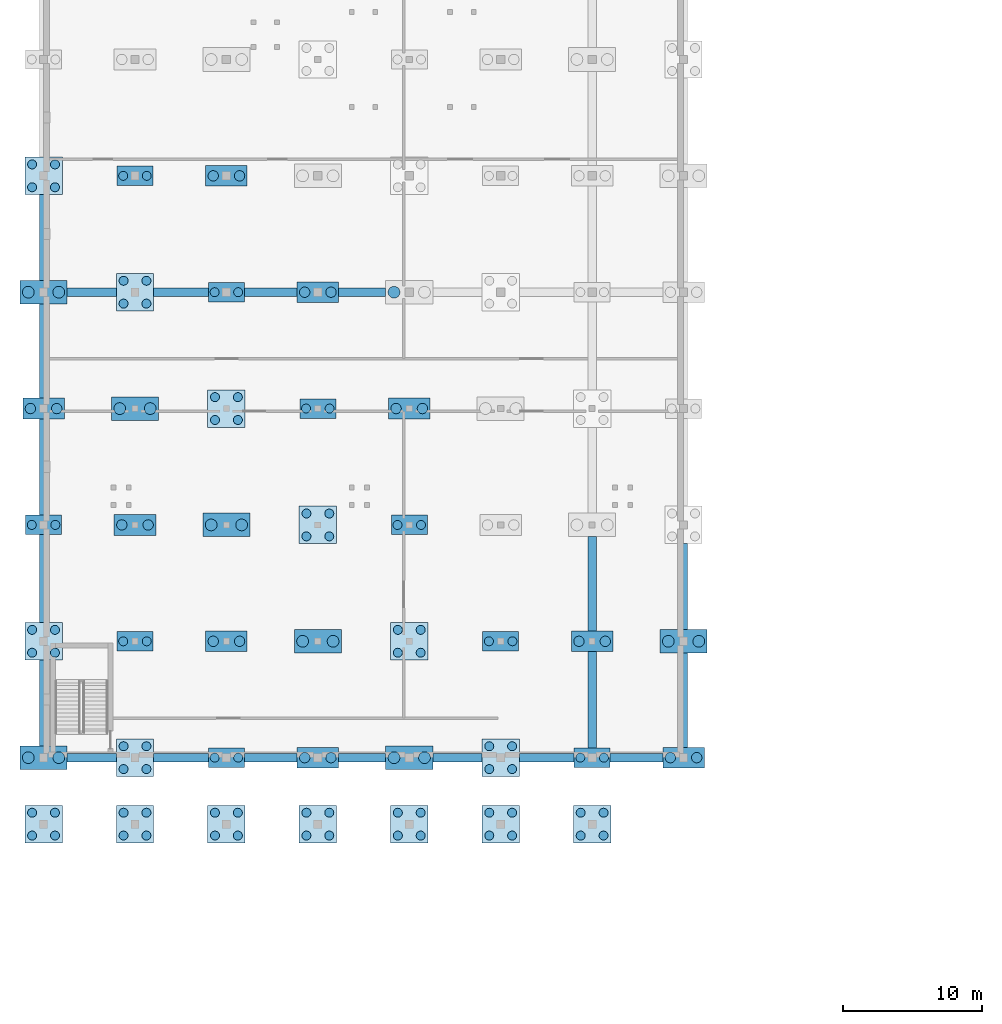
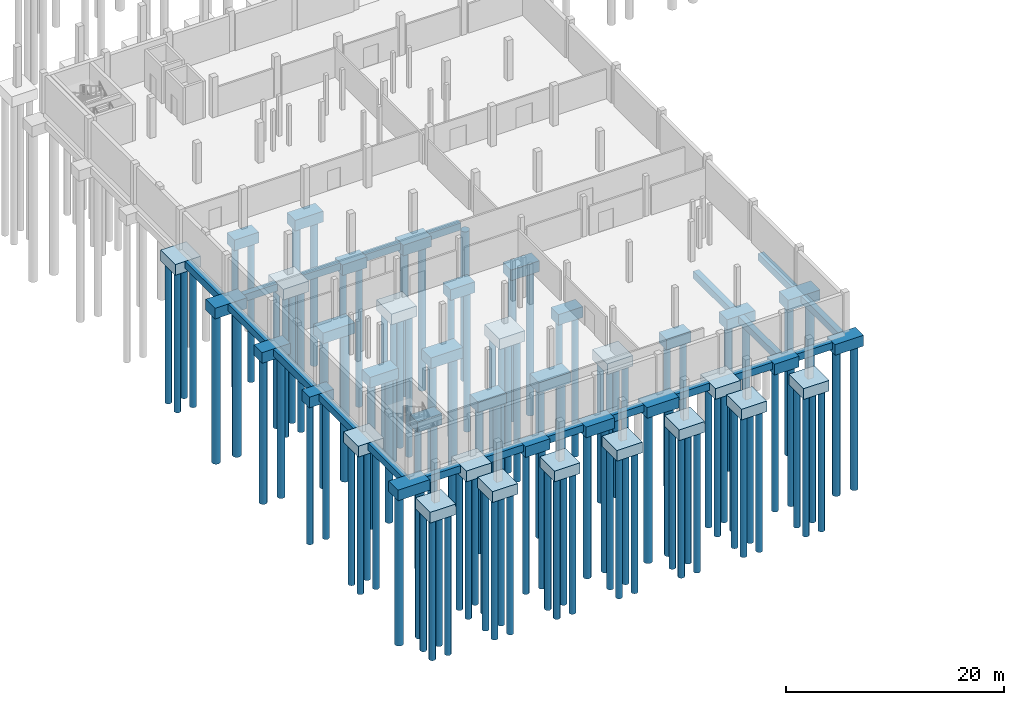
# One storey, part 1 of 25: 111 piles, 60 footings.
"""IFC4 building model written with IfcOpenShell, lengths in metres."""

from ifc_helpers import new_model, si_unit, direction, frame, origin, origin_2d, place, context, subcontext, project, spatial, rectangle, circle, extrude, material, layer, layer_set, material_profile, profile_set, type_object, element, save


model = new_model("IFC4")

# Units and contexts
model_context = context("Model", 3, precision=1e-05, world=origin(), true_north=direction((0.0, 1.0)))
body_context = subcontext(model_context, "Body", "Model", "MODEL_VIEW")
ifc_project = project(units=[si_unit("LENGTHUNIT", "METRE"), si_unit("AREAUNIT", "SQUARE_METRE"), si_unit("VOLUMEUNIT", "CUBIC_METRE"), si_unit("PLANEANGLEUNIT", "RADIAN"), si_unit("MASSUNIT", "GRAM", prefix="KILO")], contexts=[model_context])

# Site, building, storey
site_placement = place(None, origin())
site = spatial("IfcSite", under=ifc_project, at=site_placement, CompositionType="ELEMENT")
building_placement = place(site_placement, origin())
building = spatial("IfcBuilding", under=site, at=building_placement, Name="Qaldarim Faculty of Natural and Applied Sciences", CompositionType="ELEMENT")
storey_placement = place(building_placement, frame((0.0, 0.0, -4.5)))
storey = spatial("IfcBuildingStorey", under=building, at=storey_placement, Name="B01", CompositionType="ELEMENT", Elevation=-4.5)

# Piles
ifc_material = material(Name="Concrete C40/50", Category="concrete")
ifc_material_profile_1 = material_profile(ifc_material, circle(Radius=0.324951171875, at=origin_2d()), Name="PILE-D650")
ifc_profile_set_1 = profile_set([ifc_material_profile_1], Name="Concrete C40/50")
pile_type_1 = type_object("IfcPileType", Name="BoredPile-D650-L15800", PredefinedType="BORED", material=ifc_profile_set_1)
for number, where, z_axis, x_axis, name in (
    (1, (-0.824951171875, 24.375, -1.699951171875), (0.0, 0.0, -1.0), (1.0, 0.0, 0.0), "Bored pile PL01 1 under FTG-PC04-X01Y04"),
    (2, (-0.824951171875, 26.02490234375, -1.699951171875), (0.0, 0.0, -1.0), (1.0, 0.0, 0.0), "Bored pile PL01 2 under FTG-PC04-X01Y04"),
    (3, (0.824951171875, 24.375, -1.699951171875), (0.0, 0.0, -1.0), (1.0, 0.0, 0.0), "Bored pile PL01 3 under FTG-PC04-X01Y04"),
    (4, (0.824951171875, 26.02490234375, -1.699951171875), (0.0, 0.0, -1.0), (1.0, 0.0, 0.0), "Bored pile PL01 4 under FTG-PC04-X01Y04"),
    (5, (-0.85009765625, 33.60009765625, -1.699951171875), (0.0, 0.0, -1.0), (1.0, 0.0, 0.0), "Bored pile PL01 1 under FTG-PC01-X01Y05"),
    (6, (0.85009765625, 33.60009765625, -1.699951171875), (0.0, 0.0, -1.0), (1.0, 0.0, 0.0), "Bored pile PL01 2 under FTG-PC01-X01Y05"),
    (7, (-0.824951171875, 57.97509765625, -1.699951171875), (0.0, 0.0, -1.0), (1.0, 0.0, 0.0), "Bored pile PL01 1 under FTG-PC04-X01Y08"),
    (8, (-0.824951171875, 59.625, -1.699951171875), (0.0, 0.0, -1.0), (1.0, 0.0, 0.0), "Bored pile PL01 2 under FTG-PC04-X01Y08"),
    (9, (0.824951171875, 57.97509765625, -1.699951171875), (0.0, 0.0, -1.0), (1.0, 0.0, 0.0), "Bored pile PL01 3 under FTG-PC04-X01Y08"),
    (10, (0.824951171875, 59.625, -1.699951171875), (0.0, 0.0, -1.0), (1.0, 0.0, 0.0), "Bored pile PL01 4 under FTG-PC04-X01Y08"),
    (11, (5.77490234375, 15.97509765625, -1.699951171875), (0.0, 0.0, -1.0), (1.0, 0.0, 0.0), "Bored pile PL01 1 under FTG-PC04-X02Y03"),
    (12, (5.77490234375, 17.625, -1.699951171875), (0.0, 0.0, -1.0), (1.0, 0.0, 0.0), "Bored pile PL01 2 under FTG-PC04-X02Y03"),
    (13, (7.425048828125, 15.97509765625, -1.699951171875), (0.0, 0.0, -1.0), (1.0, 0.0, 0.0), "Bored pile PL01 3 under FTG-PC04-X02Y03"),
    (14, (7.425048828125, 17.625, -1.699951171875), (0.0, 0.0, -1.0), (1.0, 0.0, 0.0), "Bored pile PL01 4 under FTG-PC04-X02Y03"),
    (15, (5.75, 25.199951171875, -1.699951171875), (0.0, 0.0, -1.0), (1.0, 0.0, 0.0), "Bored pile PL01 1 under FTG-PC01-X02Y04"),
    (16, (7.449951171875, 25.199951171875, -1.699951171875), (0.0, 0.0, -1.0), (1.0, 0.0, 0.0), "Bored pile PL01 2 under FTG-PC01-X02Y04"),
    (17, (5.77490234375, 49.574951171875, -1.699951171875), (0.0, 0.0, -1.0), (1.0, 0.0, 0.0), "Bored pile PL01 1 under FTG-PC04-X02Y07"),
    (18, (5.77490234375, 51.22509765625, -1.699951171875), (0.0, 0.0, -1.0), (1.0, 0.0, 0.0), "Bored pile PL01 2 under FTG-PC04-X02Y07"),
    (19, (7.425048828125, 49.574951171875, -1.699951171875), (0.0, 0.0, -1.0), (1.0, 0.0, 0.0), "Bored pile PL01 3 under FTG-PC04-X02Y07"),
    (20, (7.425048828125, 51.22509765625, -1.699951171875), (0.0, 0.0, -1.0), (1.0, 0.0, 0.0), "Bored pile PL01 4 under FTG-PC04-X02Y07"),
    (21, (5.75, 58.800048828125, -1.699951171875), (0.0, 0.0, -1.0), (1.0, 0.0, 0.0), "Bored pile PL01 1 under FTG-PC01-X02Y08"),
    (22, (7.449951171875, 58.800048828125, -1.699951171875), (0.0, 0.0, -1.0), (1.0, 0.0, 0.0), "Bored pile PL01 2 under FTG-PC01-X02Y08"),
    (23, (12.35009765625, 16.800048828125, -1.699951171875), (0.0, 0.0, -1.0), (1.0, 0.0, 0.0), "Bored pile PL01 1 under FTG-PC01-X03Y03"),
    (24, (14.050048828125, 16.800048828125, -1.699951171875), (0.0, 0.0, -1.0), (1.0, 0.0, 0.0), "Bored pile PL01 2 under FTG-PC01-X03Y03"),
    (25, (12.375, 41.175048828125, -1.699951171875), (0.0, 0.0, -1.0), (1.0, 0.0, 0.0), "Bored pile PL01 1 under FTG-PC04-X03Y06"),
    (26, (12.375, 42.824951171875, -1.699951171875), (0.0, 0.0, -1.0), (1.0, 0.0, 0.0), "Bored pile PL01 2 under FTG-PC04-X03Y06"),
    (27, (14.02490234375, 41.175048828125, -1.699951171875), (0.0, 0.0, -1.0), (1.0, 0.0, 0.0), "Bored pile PL01 3 under FTG-PC04-X03Y06"),
    (28, (14.02490234375, 42.824951171875, -1.699951171875), (0.0, 0.0, -1.0), (1.0, 0.0, 0.0), "Bored pile PL01 4 under FTG-PC04-X03Y06"),
    (29, (12.35009765625, 50.39990234375, -1.699951171875), (0.0, 0.0, -1.0), (1.0, 0.0, 0.0), "Bored pile PL01 1 under FTG-PC01-X03Y07"),
    (30, (14.050048828125, 50.39990234375, -1.699951171875), (0.0, 0.0, -1.0), (1.0, 0.0, 0.0), "Bored pile PL01 2 under FTG-PC01-X03Y07"),
    (31, (18.97509765625, 32.77490234375, -1.699951171875), (0.0, 0.0, -1.0), (1.0, 0.0, 0.0), "Bored pile PL01 1 under FTG-PC04-X04Y05"),
    (32, (18.97509765625, 34.425048828125, -1.699951171875), (0.0, 0.0, -1.0), (1.0, 0.0, 0.0), "Bored pile PL01 2 under FTG-PC04-X04Y05"),
    (33, (20.625, 32.77490234375, -1.699951171875), (0.0, 0.0, -1.0), (1.0, 0.0, 0.0), "Bored pile PL01 3 under FTG-PC04-X04Y05"),
    (34, (20.625, 34.425048828125, -1.699951171875), (0.0, 0.0, -1.0), (1.0, 0.0, 0.0), "Bored pile PL01 4 under FTG-PC04-X04Y05"),
    (35, (18.949951171875, 42.0, -1.699951171875), (0.0, 0.0, -1.0), (1.0, 0.0, 0.0), "Bored pile PL01 1 under FTG-PC01-X04Y06"),
    (36, (20.64990234375, 42.0, -1.699951171875), (0.0, 0.0, -1.0), (1.0, 0.0, 0.0), "Bored pile PL01 2 under FTG-PC01-X04Y06"),
    (37, (25.574951171875, 24.375, -1.699951171875), (0.0, 0.0, -1.0), (1.0, 0.0, 0.0), "Bored pile PL01 1 under FTG-PC04-X05Y04"),
    (38, (25.574951171875, 26.02490234375, -1.699951171875), (0.0, 0.0, -1.0), (1.0, 0.0, 0.0), "Bored pile PL01 2 under FTG-PC04-X05Y04"),
    (39, (27.22509765625, 24.375, -1.699951171875), (0.0, 0.0, -1.0), (1.0, 0.0, 0.0), "Bored pile PL01 3 under FTG-PC04-X05Y04"),
    (40, (27.22509765625, 26.02490234375, -1.699951171875), (0.0, 0.0, -1.0), (1.0, 0.0, 0.0), "Bored pile PL01 4 under FTG-PC04-X05Y04"),
    (41, (25.550048828125, 33.60009765625, -1.699951171875), (0.0, 0.0, -1.0), (1.0, 0.0, 0.0), "Bored pile PL01 1 under FTG-PC01-X05Y05"),
    (42, (27.25, 33.60009765625, -1.699951171875), (0.0, 0.0, -1.0), (1.0, 0.0, 0.0), "Bored pile PL01 2 under FTG-PC01-X05Y05"),
    (43, (32.175048828125, 15.97509765625, -1.699951171875), (0.0, 0.0, -1.0), (1.0, 0.0, 0.0), "Bored pile PL01 1 under FTG-PC04-X06Y03"),
    (44, (32.175048828125, 17.625, -1.699951171875), (0.0, 0.0, -1.0), (1.0, 0.0, 0.0), "Bored pile PL01 2 under FTG-PC04-X06Y03"),
    (45, (33.824951171875, 15.97509765625, -1.699951171875), (0.0, 0.0, -1.0), (1.0, 0.0, 0.0), "Bored pile PL01 3 under FTG-PC04-X06Y03"),
    (46, (33.824951171875, 17.625, -1.699951171875), (0.0, 0.0, -1.0), (1.0, 0.0, 0.0), "Bored pile PL01 4 under FTG-PC04-X06Y03"),
    (47, (32.14990234375, 25.199951171875, -1.699951171875), (0.0, 0.0, -1.0), (1.0, 0.0, 0.0), "Bored pile PL01 1 under FTG-PC01-X06Y04"),
    (48, (33.85009765625, 25.199951171875, -1.699951171875), (0.0, 0.0, -1.0), (1.0, 0.0, 0.0), "Bored pile PL01 2 under FTG-PC01-X06Y04"),
    (49, (38.75, 16.800048828125, -1.699951171875), (0.0, 0.0, -1.0), (1.0, 0.0, 0.0), "Bored pile PL01 1 under FTG-PC01-X07Y03"),
    (50, (40.449951171875, 16.800048828125, -1.699951171875), (0.0, 0.0, -1.0), (1.0, 0.0, 0.0), "Bored pile PL01 2 under FTG-PC01-X07Y03"),
    (51, (-0.824951171875, 11.175048828125, -1.10009765625), (0.0, 0.0, -1.0), (1.0, 0.0, 0.0), "Bored pile PL01 1 under FTG-BUT-S-01"),
    (52, (-0.824951171875, 12.824951171875, -1.10009765625), (0.0, 0.0, -1.0), (1.0, 0.0, 0.0), "Bored pile PL01 2 under FTG-BUT-S-01"),
    (53, (0.824951171875, 11.175048828125, -1.10009765625), (0.0, 0.0, -1.0), (1.0, 0.0, 0.0), "Bored pile PL01 3 under FTG-BUT-S-01"),
    (54, (0.824951171875, 12.824951171875, -1.10009765625), (0.0, 0.0, -1.0), (1.0, 0.0, 0.0), "Bored pile PL01 4 under FTG-BUT-S-01"),
    (55, (5.77490234375, 11.175048828125, -1.10009765625), (0.0, 0.0, -1.0), (1.0, 0.0, 0.0), "Bored pile PL01 1 under FTG-BUT-S-02"),
    (56, (5.77490234375, 12.824951171875, -1.10009765625), (0.0, 0.0, -1.0), (1.0, 0.0, 0.0), "Bored pile PL01 2 under FTG-BUT-S-02"),
    (57, (7.425048828125, 11.175048828125, -1.10009765625), (0.0, 0.0, -1.0), (1.0, 0.0, 0.0), "Bored pile PL01 3 under FTG-BUT-S-02"),
    (58, (7.425048828125, 12.824951171875, -1.10009765625), (0.0, 0.0, -1.0), (1.0, 0.0, 0.0), "Bored pile PL01 4 under FTG-BUT-S-02"),
    (59, (12.375, 11.175048828125, -1.10009765625), (0.0, 0.0, -1.0), (1.0, 0.0, 0.0), "Bored pile PL01 1 under FTG-BUT-S-03"),
    (60, (12.375, 12.824951171875, -1.10009765625), (0.0, 0.0, -1.0), (1.0, 0.0, 0.0), "Bored pile PL01 2 under FTG-BUT-S-03"),
    (61, (14.02490234375, 11.175048828125, -1.10009765625), (0.0, 0.0, -1.0), (1.0, 0.0, 0.0), "Bored pile PL01 3 under FTG-BUT-S-03"),
    (62, (14.02490234375, 12.824951171875, -1.10009765625), (0.0, 0.0, -1.0), (1.0, 0.0, 0.0), "Bored pile PL01 4 under FTG-BUT-S-03"),
    (63, (18.97509765625, 11.175048828125, -1.10009765625), (0.0, 0.0, -1.0), (1.0, 0.0, 0.0), "Bored pile PL01 1 under FTG-BUT-S-04"),
    (64, (18.97509765625, 12.824951171875, -1.10009765625), (0.0, 0.0, -1.0), (1.0, 0.0, 0.0), "Bored pile PL01 2 under FTG-BUT-S-04"),
    (65, (20.625, 11.175048828125, -1.10009765625), (0.0, 0.0, -1.0), (1.0, 0.0, 0.0), "Bored pile PL01 3 under FTG-BUT-S-04"),
    (66, (20.625, 12.824951171875, -1.10009765625), (0.0, 0.0, -1.0), (1.0, 0.0, 0.0), "Bored pile PL01 4 under FTG-BUT-S-04"),
    (67, (25.574951171875, 11.175048828125, -1.10009765625), (0.0, 0.0, -1.0), (1.0, 0.0, 0.0), "Bored pile PL01 1 under FTG-BUT-S-05"),
    (68, (25.574951171875, 12.824951171875, -1.10009765625), (0.0, 0.0, -1.0), (1.0, 0.0, 0.0), "Bored pile PL01 2 under FTG-BUT-S-05"),
    (69, (27.22509765625, 11.175048828125, -1.10009765625), (0.0, 0.0, -1.0), (1.0, 0.0, 0.0), "Bored pile PL01 3 under FTG-BUT-S-05"),
    (70, (27.22509765625, 12.824951171875, -1.10009765625), (0.0, 0.0, -1.0), (1.0, 0.0, 0.0), "Bored pile PL01 4 under FTG-BUT-S-05"),
    (71, (32.175048828125, 11.175048828125, -1.10009765625), (0.0, 0.0, -1.0), (1.0, 0.0, 0.0), "Bored pile PL01 1 under FTG-BUT-S-06"),
    (72, (32.175048828125, 12.824951171875, -1.10009765625), (0.0, 0.0, -1.0), (1.0, 0.0, 0.0), "Bored pile PL01 2 under FTG-BUT-S-06"),
    (73, (33.824951171875, 11.175048828125, -1.10009765625), (0.0, 0.0, -1.0), (1.0, 0.0, 0.0), "Bored pile PL01 3 under FTG-BUT-S-06"),
    (74, (33.824951171875, 12.824951171875, -1.10009765625), (0.0, 0.0, -1.0), (1.0, 0.0, 0.0), "Bored pile PL01 4 under FTG-BUT-S-06"),
    (75, (38.77490234375, 11.175048828125, -1.10009765625), (0.0, 0.0, -1.0), (1.0, 0.0, 0.0), "Bored pile PL01 1 under FTG-BUT-S-07"),
    (76, (38.77490234375, 12.824951171875, -1.10009765625), (0.0, 0.0, -1.0), (1.0, 0.0, 0.0), "Bored pile PL01 2 under FTG-BUT-S-07"),
    (77, (40.425048828125, 11.175048828125, -1.10009765625), (0.0, 0.0, -1.0), (1.0, 0.0, 0.0), "Bored pile PL01 3 under FTG-BUT-S-07"),
    (78, (40.425048828125, 12.824951171875, -1.10009765625), (0.0, 0.0, -1.0), (1.0, 0.0, 0.0), "Bored pile PL01 4 under FTG-BUT-S-07"),
):
    element("IfcPile", number, at=place(storey_placement, frame(where, z_axis=z_axis, x_axis=x_axis)), inside=storey, type_object=pile_type_1, Name=name, PredefinedType="BORED", context=body_context, shape_type="SweptSolid", body=[
        extrude(circle(Radius=0.324951171875, at=origin_2d()), origin(), (0.0, 0.0, 1.0), 15.800048828125),
    ])
ifc_material_profile_2 = material_profile(ifc_material, circle(Radius=0.375, at=origin_2d()), Name="PILE-D750")
ifc_profile_set_2 = profile_set([ifc_material_profile_2], Name="Concrete C40/50")
pile_type_2 = type_object("IfcPileType", Name="BoredPile-D750-L16300", PredefinedType="BORED", material=ifc_profile_set_2)
for number, where, z_axis, x_axis, name in (
    (79, (-0.949951171875, 42.0, -1.699951171875), (0.0, 0.0, -1.0), (1.0, 0.0, 0.0), "Bored pile PL02 1 under FTG-PC02-X01Y06"),
    (80, (0.949951171875, 42.0, -1.699951171875), (0.0, 0.0, -1.0), (1.0, 0.0, 0.0), "Bored pile PL02 2 under FTG-PC02-X01Y06"),
    (81, (5.64990234375, 33.60009765625, -1.699951171875), (0.0, 0.0, -1.0), (1.0, 0.0, 0.0), "Bored pile PL02 1 under FTG-PC02-X02Y05"),
    (82, (7.550048828125, 33.60009765625, -1.699951171875), (0.0, 0.0, -1.0), (1.0, 0.0, 0.0), "Bored pile PL02 2 under FTG-PC02-X02Y05"),
    (83, (12.25, 25.199951171875, -1.699951171875), (0.0, 0.0, -1.0), (1.0, 0.0, 0.0), "Bored pile PL02 1 under FTG-PC02-X03Y04"),
    (84, (14.14990234375, 25.199951171875, -1.699951171875), (0.0, 0.0, -1.0), (1.0, 0.0, 0.0), "Bored pile PL02 2 under FTG-PC02-X03Y04"),
    (85, (12.25, 58.800048828125, -1.699951171875), (0.0, 0.0, -1.0), (1.0, 0.0, 0.0), "Bored pile PL02 1 under FTG-PC02-X03Y08"),
    (86, (14.14990234375, 58.800048828125, -1.699951171875), (0.0, 0.0, -1.0), (1.0, 0.0, 0.0), "Bored pile PL02 2 under FTG-PC02-X03Y08"),
    (87, (18.85009765625, 16.800048828125, -1.699951171875), (0.0, 0.0, -1.0), (1.0, 0.0, 0.0), "Bored pile PL02 1 under FTG-PC02-X04Y03"),
    (88, (20.75, 16.800048828125, -1.699951171875), (0.0, 0.0, -1.0), (1.0, 0.0, 0.0), "Bored pile PL02 2 under FTG-PC02-X04Y03"),
    (89, (18.85009765625, 50.39990234375, -1.699951171875), (0.0, 0.0, -1.0), (1.0, 0.0, 0.0), "Bored pile PL02 1 under FTG-PC02-X04Y07"),
    (90, (20.75, 50.39990234375, -1.699951171875), (0.0, 0.0, -1.0), (1.0, 0.0, 0.0), "Bored pile PL02 2 under FTG-PC02-X04Y07"),
    (91, (25.449951171875, 42.0, -1.699951171875), (0.0, 0.0, -1.0), (1.0, 0.0, 0.0), "Bored pile PL02 1 under FTG-PC02-X05Y06"),
    (92, (27.35009765625, 42.0, -1.699951171875), (0.0, 0.0, -1.0), (1.0, 0.0, 0.0), "Bored pile PL02 2 under FTG-PC02-X05Y06"),
    (93, (38.64990234375, 25.199951171875, -1.699951171875), (0.0, 0.0, -1.0), (1.0, 0.0, 0.0), "Bored pile PL02 1 under FTG-PC02-X07Y04"),
    (94, (40.550048828125, 25.199951171875, -1.699951171875), (0.0, 0.0, -1.0), (1.0, 0.0, 0.0), "Bored pile PL02 2 under FTG-PC02-X07Y04"),
    (95, (45.25, 16.800048828125, -1.699951171875), (0.0, 0.0, -1.0), (1.0, 0.0, 0.0), "Bored pile PL02 1 under FTG-PC02-X08Y03"),
    (96, (47.14990234375, 16.800048828125, -1.699951171875), (0.0, 0.0, -1.0), (1.0, 0.0, 0.0), "Bored pile PL02 2 under FTG-PC02-X08Y03"),
):
    element("IfcPile", number, at=place(storey_placement, frame(where, z_axis=z_axis, x_axis=x_axis)), inside=storey, type_object=pile_type_2, Name=name, PredefinedType="BORED", context=body_context, shape_type="SweptSolid", body=[
        extrude(circle(Radius=0.375, at=origin_2d()), origin(), (0.0, 0.0, 1.0), 16.300048828125),
    ])
ifc_material_profile_3 = material_profile(ifc_material, circle(Radius=0.425048828125, at=origin_2d()), Name="PILE-D850")
ifc_profile_set_3 = profile_set([ifc_material_profile_3], Name="Concrete C40/50")
pile_type_3 = type_object("IfcPileType", Name="BoredPile-D850-L16800", PredefinedType="BORED", material=ifc_profile_set_3)
for number, where, z_axis, x_axis, name in (
    (97, (-1.10009765625, 16.800048828125, -1.699951171875), (0.0, 0.0, -1.0), (1.0, 0.0, 0.0), "Bored pile PL03 1 under FTG-PC03-X01Y03"),
    (98, (1.10009765625, 16.800048828125, -1.699951171875), (0.0, 0.0, -1.0), (1.0, 0.0, 0.0), "Bored pile PL03 2 under FTG-PC03-X01Y03"),
    (99, (-1.10009765625, 50.39990234375, -1.699951171875), (0.0, 0.0, -1.0), (1.0, 0.0, 0.0), "Bored pile PL03 1 under FTG-PC03-X01Y07"),
    (100, (1.10009765625, 50.39990234375, -1.699951171875), (0.0, 0.0, -1.0), (1.0, 0.0, 0.0), "Bored pile PL03 2 under FTG-PC03-X01Y07"),
    (101, (5.5, 42.0, -1.699951171875), (0.0, 0.0, -1.0), (1.0, 0.0, 0.0), "Bored pile PL03 1 under FTG-PC03-X02Y06"),
    (102, (7.699951171875, 42.0, -1.699951171875), (0.0, 0.0, -1.0), (1.0, 0.0, 0.0), "Bored pile PL03 2 under FTG-PC03-X02Y06"),
    (103, (12.10009765625, 33.60009765625, -1.699951171875), (0.0, 0.0, -1.0), (1.0, 0.0, 0.0), "Bored pile PL03 1 under FTG-PC03-X03Y05"),
    (104, (14.300048828125, 33.60009765625, -1.699951171875), (0.0, 0.0, -1.0), (1.0, 0.0, 0.0), "Bored pile PL03 2 under FTG-PC03-X03Y05"),
    (105, (18.699951171875, 25.199951171875, -1.699951171875), (0.0, 0.0, -1.0), (1.0, 0.0, 0.0), "Bored pile PL03 1 under FTG-PC03-X04Y04"),
    (106, (20.89990234375, 25.199951171875, -1.699951171875), (0.0, 0.0, -1.0), (1.0, 0.0, 0.0), "Bored pile PL03 2 under FTG-PC03-X04Y04"),
    (107, (25.300048828125, 16.800048828125, -1.699951171875), (0.0, 0.0, -1.0), (1.0, 0.0, 0.0), "Bored pile PL03 1 under FTG-PC03-X05Y03"),
    (108, (27.5, 16.800048828125, -1.699951171875), (0.0, 0.0, -1.0), (1.0, 0.0, 0.0), "Bored pile PL03 2 under FTG-PC03-X05Y03"),
    (109, (25.300048828125, 50.39990234375, -1.699951171875), (0.0, 0.0, -1.0), (1.0, 0.0, 0.0), "Bored pile PL03 1 under FTG-PC03-X05Y07"),
    (110, (45.10009765625, 25.199951171875, -1.699951171875), (0.0, 0.0, -1.0), (1.0, 0.0, 0.0), "Bored pile PL03 1 under FTG-PC03-X08Y04"),
    (111, (47.300048828125, 25.199951171875, -1.699951171875), (0.0, 0.0, -1.0), (1.0, 0.0, 0.0), "Bored pile PL03 2 under FTG-PC03-X08Y04"),
):
    element("IfcPile", number, at=place(storey_placement, frame(where, z_axis=z_axis, x_axis=x_axis)), inside=storey, type_object=pile_type_3, Name=name, PredefinedType="BORED", context=body_context, shape_type="SweptSolid", body=[
        extrude(circle(Radius=0.425048828125, at=origin_2d()), origin(), (0.0, 0.0, 1.0), 16.800048828125),
    ])

# Footings
ifc_layer_1 = layer(ifc_material, 1.199951171875)
ifc_layer_set_1 = layer_set([ifc_layer_1], Name="Concrete C40/50")
footing_type_1 = type_object("IfcFootingType", Name="FoundationCap-2600x1400x1200-2P650", PredefinedType="PILE_CAP", material=ifc_layer_set_1)
for number, where, z_axis, x_axis, name in (
    (112, (0.0, 33.60009765625, -1.7998046875), (0.0, 0.0, 1.0), (1.0, 0.0, 0.0), "Pile cap PC01 at X01/Y05"),
    (113, (6.60009765625, 25.199951171875, -1.7998046875), (0.0, 0.0, 1.0), (1.0, 0.0, 0.0), "Pile cap PC01 at X02/Y04"),
    (114, (6.60009765625, 58.800048828125, -1.7998046875), (0.0, 0.0, 1.0), (1.0, 0.0, 0.0), "Pile cap PC01 at X02/Y08"),
    (115, (13.199951171875, 16.800048828125, -1.7998046875), (0.0, 0.0, 1.0), (1.0, 0.0, 0.0), "Pile cap PC01 at X03/Y03"),
    (116, (13.199951171875, 50.39990234375, -1.7998046875), (0.0, 0.0, 1.0), (1.0, 0.0, 0.0), "Pile cap PC01 at X03/Y07"),
    (117, (19.800048828125, 42.0, -1.7998046875), (0.0, 0.0, 1.0), (1.0, 0.0, 0.0), "Pile cap PC01 at X04/Y06"),
    (118, (26.39990234375, 33.60009765625, -1.7998046875), (0.0, 0.0, 1.0), (1.0, 0.0, 0.0), "Pile cap PC01 at X05/Y05"),
    (119, (33.0, 25.199951171875, -1.7998046875), (0.0, 0.0, 1.0), (1.0, 0.0, 0.0), "Pile cap PC01 at X06/Y04"),
    (120, (39.60009765625, 16.800048828125, -1.7998046875), (0.0, 0.0, 1.0), (1.0, 0.0, 0.0), "Pile cap PC01 at X07/Y03"),
):
    element("IfcFooting", number, at=place(storey_placement, frame(where, z_axis=z_axis, x_axis=x_axis)), inside=storey, type_object=footing_type_1, Name=name, PredefinedType="PILE_CAP", context=body_context, shape_type="SweptSolid", body=[
        extrude(rectangle(XDim=2.60009765625, YDim=1.39990234375, at=origin_2d()), origin(), (0.0, 0.0, 1.0), 1.199951171875),
    ])
ifc_layer_2 = layer(ifc_material, 1.199951171875)
ifc_layer_set_2 = layer_set([ifc_layer_2], Name="Concrete C40/50")
footing_type_2 = type_object("IfcFootingType", Name="FoundationCap-2700x2700x1200-4P650", PredefinedType="PILE_CAP", material=ifc_layer_set_2)
for number, where, z_axis, x_axis, name in (
    (121, (0.0, 25.199951171875, -1.7998046875), (0.0, 0.0, 1.0), (1.0, 0.0, 0.0), "Pile cap PC04 at X01/Y04"),
    (122, (0.0, 58.800048828125, -1.7998046875), (0.0, 0.0, 1.0), (1.0, 0.0, 0.0), "Pile cap PC04 at X01/Y08"),
    (123, (6.60009765625, 16.800048828125, -1.7998046875), (0.0, 0.0, 1.0), (1.0, 0.0, 0.0), "Pile cap PC04 at X02/Y03"),
    (124, (6.60009765625, 50.39990234375, -1.7998046875), (0.0, 0.0, 1.0), (1.0, 0.0, 0.0), "Pile cap PC04 at X02/Y07"),
    (125, (13.199951171875, 42.0, -1.7998046875), (0.0, 0.0, 1.0), (1.0, 0.0, 0.0), "Pile cap PC04 at X03/Y06"),
    (126, (19.800048828125, 33.60009765625, -1.7998046875), (0.0, 0.0, 1.0), (1.0, 0.0, 0.0), "Pile cap PC04 at X04/Y05"),
    (127, (26.39990234375, 25.199951171875, -1.7998046875), (0.0, 0.0, 1.0), (1.0, 0.0, 0.0), "Pile cap PC04 at X05/Y04"),
    (128, (33.0, 16.800048828125, -1.7998046875), (0.0, 0.0, 1.0), (1.0, 0.0, 0.0), "Pile cap PC04 at X06/Y03"),
    (129, (0.0, 12.0, -1.2001953125), (0.0, 0.0, 1.0), (1.0, 0.0, 0.0), "Shell south buttress pile cap 1"),
    (130, (6.60009765625, 12.0, -1.2001953125), (0.0, 0.0, 1.0), (1.0, 0.0, 0.0), "Shell south buttress pile cap 2"),
    (131, (13.199951171875, 12.0, -1.2001953125), (0.0, 0.0, 1.0), (1.0, 0.0, 0.0), "Shell south buttress pile cap 3"),
    (132, (19.800048828125, 12.0, -1.2001953125), (0.0, 0.0, 1.0), (1.0, 0.0, 0.0), "Shell south buttress pile cap 4"),
    (133, (26.39990234375, 12.0, -1.2001953125), (0.0, 0.0, 1.0), (1.0, 0.0, 0.0), "Shell south buttress pile cap 5"),
    (134, (33.0, 12.0, -1.2001953125), (0.0, 0.0, 1.0), (1.0, 0.0, 0.0), "Shell south buttress pile cap 6"),
    (135, (39.60009765625, 12.0, -1.2001953125), (0.0, 0.0, 1.0), (1.0, 0.0, 0.0), "Shell south buttress pile cap 7"),
):
    element("IfcFooting", number, at=place(storey_placement, frame(where, z_axis=z_axis, x_axis=x_axis)), inside=storey, type_object=footing_type_2, Name=name, PredefinedType="PILE_CAP", context=body_context, shape_type="SweptSolid", body=[
        extrude(rectangle(XDim=2.699951171875, YDim=2.699951171875, at=origin_2d()), origin(), (0.0, 0.0, 1.0), 1.199951171875),
    ])
ifc_layer_3 = layer(ifc_material, 1.199951171875)
ifc_layer_set_3 = layer_set([ifc_layer_3], Name="Concrete C40/50")
footing_type_3 = type_object("IfcFootingType", Name="FoundationCap-3000x1500x1200-2P750", PredefinedType="PILE_CAP", material=ifc_layer_set_3)
for number, where, z_axis, x_axis, name in (
    (136, (0.0, 42.0, -1.7998046875), (0.0, 0.0, 1.0), (1.0, 0.0, 0.0), "Pile cap PC02 at X01/Y06"),
    (137, (6.60009765625, 33.60009765625, -1.7998046875), (0.0, 0.0, 1.0), (1.0, 0.0, 0.0), "Pile cap PC02 at X02/Y05"),
    (138, (13.199951171875, 25.199951171875, -1.7998046875), (0.0, 0.0, 1.0), (1.0, 0.0, 0.0), "Pile cap PC02 at X03/Y04"),
    (139, (13.199951171875, 58.800048828125, -1.7998046875), (0.0, 0.0, 1.0), (1.0, 0.0, 0.0), "Pile cap PC02 at X03/Y08"),
    (140, (19.800048828125, 16.800048828125, -1.7998046875), (0.0, 0.0, 1.0), (1.0, 0.0, 0.0), "Pile cap PC02 at X04/Y03"),
    (141, (19.800048828125, 50.39990234375, -1.7998046875), (0.0, 0.0, 1.0), (1.0, 0.0, 0.0), "Pile cap PC02 at X04/Y07"),
    (142, (26.39990234375, 42.0, -1.7998046875), (0.0, 0.0, 1.0), (1.0, 0.0, 0.0), "Pile cap PC02 at X05/Y06"),
    (143, (39.60009765625, 25.199951171875, -1.7998046875), (0.0, 0.0, 1.0), (1.0, 0.0, 0.0), "Pile cap PC02 at X07/Y04"),
    (144, (46.199951171875, 16.800048828125, -1.7998046875), (0.0, 0.0, 1.0), (1.0, 0.0, 0.0), "Pile cap PC02 at X08/Y03"),
):
    element("IfcFooting", number, at=place(storey_placement, frame(where, z_axis=z_axis, x_axis=x_axis)), inside=storey, type_object=footing_type_3, Name=name, PredefinedType="PILE_CAP", context=body_context, shape_type="SweptSolid", body=[
        extrude(rectangle(XDim=3.0, YDim=1.5, at=origin_2d()), origin(), (0.0, 0.0, 1.0), 1.199951171875),
    ])
ifc_layer_4 = layer(ifc_material, 1.199951171875)
ifc_layer_set_4 = layer_set([ifc_layer_4], Name="Concrete C40/50")
footing_type_4 = type_object("IfcFootingType", Name="FoundationCap-3400x1700x1200-2P850", PredefinedType="PILE_CAP", material=ifc_layer_set_4)
for number, where, z_axis, x_axis, name in (
    (145, (0.0, 16.800048828125, -1.7998046875), (0.0, 0.0, 1.0), (1.0, 0.0, 0.0), "Pile cap PC03 at X01/Y03"),
    (146, (0.0, 50.39990234375, -1.7998046875), (0.0, 0.0, 1.0), (1.0, 0.0, 0.0), "Pile cap PC03 at X01/Y07"),
    (147, (6.60009765625, 42.0, -1.7998046875), (0.0, 0.0, 1.0), (1.0, 0.0, 0.0), "Pile cap PC03 at X02/Y06"),
    (148, (13.199951171875, 33.60009765625, -1.7998046875), (0.0, 0.0, 1.0), (1.0, 0.0, 0.0), "Pile cap PC03 at X03/Y05"),
    (149, (19.800048828125, 25.199951171875, -1.7998046875), (0.0, 0.0, 1.0), (1.0, 0.0, 0.0), "Pile cap PC03 at X04/Y04"),
    (150, (26.39990234375, 16.800048828125, -1.7998046875), (0.0, 0.0, 1.0), (1.0, 0.0, 0.0), "Pile cap PC03 at X05/Y03"),
    (151, (46.199951171875, 25.199951171875, -1.7998046875), (0.0, 0.0, 1.0), (1.0, 0.0, 0.0), "Pile cap PC03 at X08/Y04"),
):
    element("IfcFooting", number, at=place(storey_placement, frame(where, z_axis=z_axis, x_axis=x_axis)), inside=storey, type_object=footing_type_4, Name=name, PredefinedType="PILE_CAP", context=body_context, shape_type="SweptSolid", body=[
        extrude(rectangle(XDim=3.39990234375, YDim=1.699951171875, at=origin_2d()), origin(), (0.0, 0.0, 1.0), 1.199951171875),
    ])
ifc_layer_5 = layer(ifc_material, 0.800048828125)
ifc_layer_set_5 = layer_set([ifc_layer_5], Name="Concrete C40/50")
footing_type_5 = type_object("IfcFootingType", Name="FoundationTie-3400x600x800", PredefinedType="STRIP_FOOTING", material=ifc_layer_set_5)
for number, where, z_axis, x_axis, name in (
    (152, (23.0, 16.800048828125, -1.39990234375), (0.0, 0.0, 1.0), (1.0, 0.0, 0.0), "Strip footing SF08 X04Y03"),
    (153, (23.0, 50.39990234375, -1.39990234375), (0.0, 0.0, 1.0), (1.0, 0.0, 0.0), "Strip footing SF08 X04Y07"),
):
    element("IfcFooting", number, at=place(storey_placement, frame(where, z_axis=z_axis, x_axis=x_axis)), inside=storey, type_object=footing_type_5, Name=name, PredefinedType="STRIP_FOOTING", context=body_context, shape_type="SweptSolid", body=[
        extrude(rectangle(XDim=3.39990234375, YDim=0.60009765625, at=origin_2d()), origin(), (0.0, 0.0, 1.0), 0.800048828125),
    ])
ifc_layer_6 = layer(ifc_material, 0.800048828125)
ifc_layer_set_6 = layer_set([ifc_layer_6], Name="Concrete C40/50")
footing_type_6 = type_object("IfcFootingType", Name="FoundationTie-3550x600x800", PredefinedType="STRIP_FOOTING", material=ifc_layer_set_6)
for number, where, z_axis, x_axis, name in (
    (154, (3.47509765625, 16.800048828125, -1.39990234375), (0.0, 0.0, 1.0), (1.0, 0.0, 0.0), "Strip footing SF01 X01Y03"),
    (155, (3.47509765625, 50.39990234375, -1.39990234375), (0.0, 0.0, 1.0), (1.0, 0.0, 0.0), "Strip footing SF01 X01Y07"),
    (156, (29.875, 16.800048828125, -1.39990234375), (0.0, 0.0, 1.0), (1.0, 0.0, 0.0), "Strip footing SF01 X05Y03"),
):
    element("IfcFooting", number, at=place(storey_placement, frame(where, z_axis=z_axis, x_axis=x_axis)), inside=storey, type_object=footing_type_6, Name=name, PredefinedType="STRIP_FOOTING", context=body_context, shape_type="SweptSolid", body=[
        extrude(rectangle(XDim=3.550048828125, YDim=0.60009765625, at=origin_2d()), origin(), (0.0, 0.0, 1.0), 0.800048828125),
    ])
ifc_layer_7 = layer(ifc_material, 0.800048828125)
ifc_layer_set_7 = layer_set([ifc_layer_7], Name="Concrete C40/50")
footing_type_7 = type_object("IfcFootingType", Name="FoundationTie-3800x600x800", PredefinedType="STRIP_FOOTING", material=ifc_layer_set_7)
for number, where, z_axis, x_axis, name in (
    (157, (16.39990234375, 16.800048828125, -1.39990234375), (0.0, 0.0, 1.0), (1.0, 0.0, 0.0), "Strip footing SF07 X03Y03"),
    (158, (16.39990234375, 50.39990234375, -1.39990234375), (0.0, 0.0, 1.0), (1.0, 0.0, 0.0), "Strip footing SF07 X03Y07"),
    (159, (42.800048828125, 16.800048828125, -1.39990234375), (0.0, 0.0, 1.0), (1.0, 0.0, 0.0), "Strip footing SF07 X07Y03"),
):
    element("IfcFooting", number, at=place(storey_placement, frame(where, z_axis=z_axis, x_axis=x_axis)), inside=storey, type_object=footing_type_7, Name=name, PredefinedType="STRIP_FOOTING", context=body_context, shape_type="SweptSolid", body=[
        extrude(rectangle(XDim=3.800048828125, YDim=0.60009765625, at=origin_2d()), origin(), (0.0, 0.0, 1.0), 0.800048828125),
    ])
ifc_layer_8 = layer(ifc_material, 0.800048828125)
ifc_layer_set_8 = layer_set([ifc_layer_8], Name="Concrete C40/50")
footing_type_8 = type_object("IfcFootingType", Name="FoundationTie-3950x600x800", PredefinedType="STRIP_FOOTING", material=ifc_layer_set_8)
for number, where, z_axis, x_axis, name in (
    (160, (9.925048828125, 16.800048828125, -1.39990234375), (0.0, 0.0, 1.0), (1.0, 0.0, 0.0), "Strip footing SF06 X02Y03"),
    (161, (9.925048828125, 50.39990234375, -1.39990234375), (0.0, 0.0, 1.0), (1.0, 0.0, 0.0), "Strip footing SF06 X02Y07"),
    (162, (36.324951171875, 16.800048828125, -1.39990234375), (0.0, 0.0, 1.0), (1.0, 0.0, 0.0), "Strip footing SF06 X06Y03"),
):
    element("IfcFooting", number, at=place(storey_placement, frame(where, z_axis=z_axis, x_axis=x_axis)), inside=storey, type_object=footing_type_8, Name=name, PredefinedType="STRIP_FOOTING", context=body_context, shape_type="SweptSolid", body=[
        extrude(rectangle(XDim=3.949951171875, YDim=0.60009765625, at=origin_2d()), origin(), (0.0, 0.0, 1.0), 0.800048828125),
    ])
ifc_layer_9 = layer(ifc_material, 0.800048828125)
ifc_layer_set_9 = layer_set([ifc_layer_9], Name="Concrete C40/50")
footing_type_9 = type_object("IfcFootingType", Name="FoundationTie-6200x600x800", PredefinedType="STRIP_FOOTING", material=ifc_layer_set_9)
for number, where, z_axis, x_axis, name in (
    (163, (0.0, 20.75, -1.39990234375), (0.0, 0.0, 1.0), (0.0, 1.0, 0.0), "Strip footing SF02 X01Y03"),
    (164, (0.0, 54.35009765625, -1.39990234375), (0.0, 0.0, 1.0), (0.0, 1.0, 0.0), "Strip footing SF02 X01Y07"),
    (165, (46.199951171875, 29.14990234375, -1.39990234375), (0.0, 0.0, 1.0), (0.0, 1.0, 0.0), "Strip footing SF02 X08Y04"),
):
    element("IfcFooting", number, at=place(storey_placement, frame(where, z_axis=z_axis, x_axis=x_axis)), inside=storey, type_object=footing_type_9, Name=name, PredefinedType="STRIP_FOOTING", context=body_context, shape_type="SweptSolid", body=[
        extrude(rectangle(XDim=6.199951171875, YDim=0.60009765625, at=origin_2d()), origin(), (0.0, 0.0, 1.0), 0.800048828125),
    ])
ifc_layer_10 = layer(ifc_material, 0.800048828125)
ifc_layer_set_10 = layer_set([ifc_layer_10], Name="Concrete C40/50")
footing_type_10 = type_object("IfcFootingType", Name="FoundationTie-6350x600x800", PredefinedType="STRIP_FOOTING", material=ifc_layer_set_10)
footing_placement = place(storey_placement, frame((0.0, 29.72509765625, -1.39990234375), z_axis=(0.0, 0.0, 1.0), x_axis=(0.0, 1.0, 0.0)))
element("IfcFooting", 166, at=footing_placement, inside=storey, type_object=footing_type_10, Name="Strip footing SF03 X01Y04", PredefinedType="STRIP_FOOTING", context=body_context, shape_type="SweptSolid", body=[
    extrude(rectangle(XDim=6.35009765625, YDim=0.60009765625, at=origin_2d()), origin(), (0.0, 0.0, 1.0), 0.800048828125),
])
ifc_layer_11 = layer(ifc_material, 0.800048828125)
ifc_layer_set_11 = layer_set([ifc_layer_11], Name="Concrete C40/50")
footing_type_11 = type_object("IfcFootingType", Name="FoundationTie-6800x600x800", PredefinedType="STRIP_FOOTING", material=ifc_layer_set_11)
for number, where, z_axis, x_axis, name in (
    (167, (0.0, 46.14990234375, -1.39990234375), (0.0, 0.0, 1.0), (0.0, 1.0, 0.0), "Strip footing SF05 X01Y06"),
    (168, (39.60009765625, 29.35009765625, -1.39990234375), (0.0, 0.0, 1.0), (0.0, 1.0, 0.0), "Strip footing SF05 X07Y04"),
    (169, (46.199951171875, 20.949951171875, -1.39990234375), (0.0, 0.0, 1.0), (0.0, 1.0, 0.0), "Strip footing SF05 X08Y03"),
):
    element("IfcFooting", number, at=place(storey_placement, frame(where, z_axis=z_axis, x_axis=x_axis)), inside=storey, type_object=footing_type_11, Name=name, PredefinedType="STRIP_FOOTING", context=body_context, shape_type="SweptSolid", body=[
        extrude(rectangle(XDim=6.800048828125, YDim=0.60009765625, at=origin_2d()), origin(), (0.0, 0.0, 1.0), 0.800048828125),
    ])
ifc_layer_12 = layer(ifc_material, 0.800048828125)
ifc_layer_set_12 = layer_set([ifc_layer_12], Name="Concrete C40/50")
footing_type_12 = type_object("IfcFootingType", Name="FoundationTie-6950x600x800", PredefinedType="STRIP_FOOTING", material=ifc_layer_set_12)
for number, where, z_axis, x_axis, name in (
    (170, (0.0, 37.77490234375, -1.39990234375), (0.0, 0.0, 1.0), (0.0, 1.0, 0.0), "Strip footing SF04 X01Y05"),
    (171, (39.60009765625, 20.97509765625, -1.39990234375), (0.0, 0.0, 1.0), (0.0, 1.0, 0.0), "Strip footing SF04 X07Y03"),
):
    element("IfcFooting", number, at=place(storey_placement, frame(where, z_axis=z_axis, x_axis=x_axis)), inside=storey, type_object=footing_type_12, Name=name, PredefinedType="STRIP_FOOTING", context=body_context, shape_type="SweptSolid", body=[
        extrude(rectangle(XDim=6.949951171875, YDim=0.60009765625, at=origin_2d()), origin(), (0.0, 0.0, 1.0), 0.800048828125),
    ])

save(model, "model.ifc")
